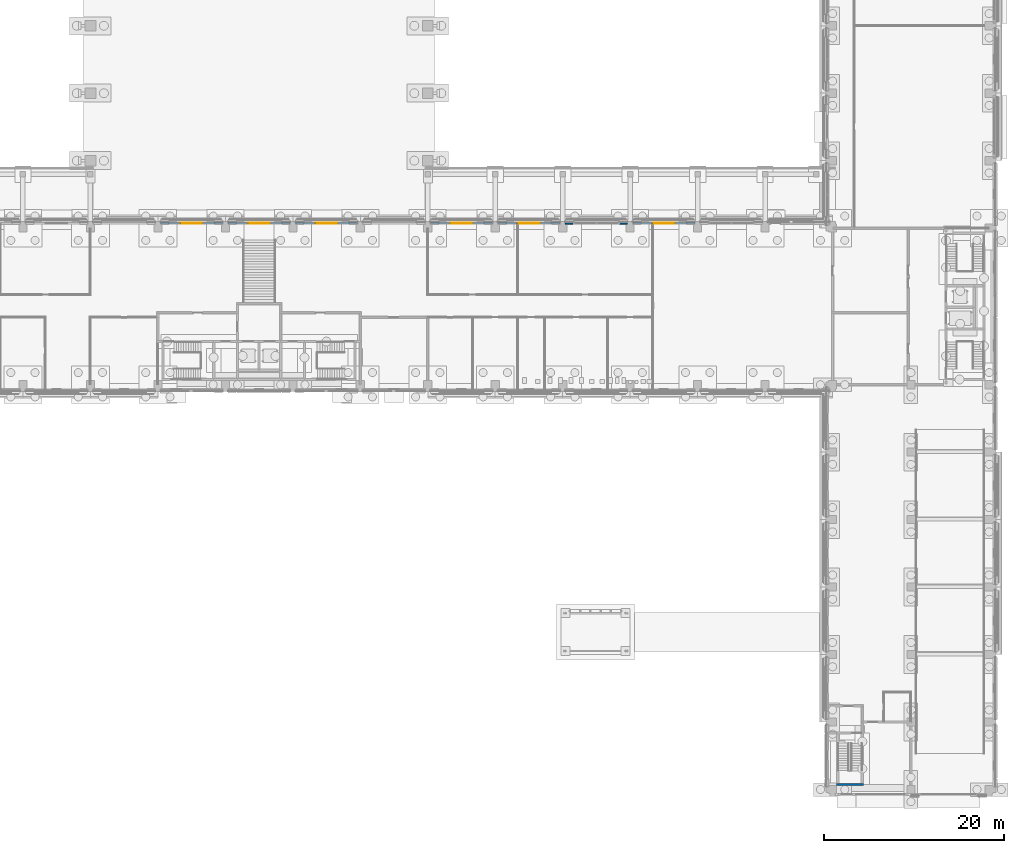
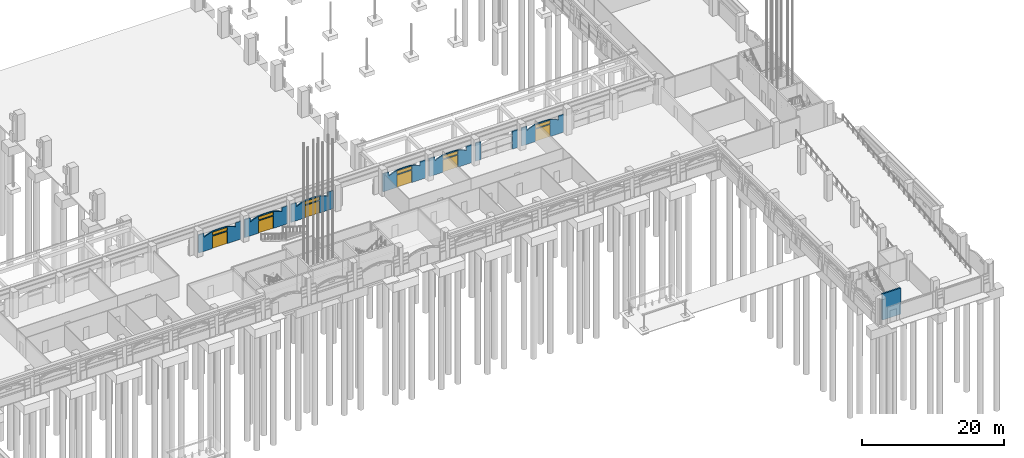
# One storey, part 40 of 99: 9 walls, 6 doors, 6 windows, 12 openings.
"""IFC4 building model written with IfcOpenShell, lengths in metres."""

from ifc_helpers import new_model, si_unit, direction, frame, frame_2d, origin, place, context, subcontext, project, spatial, polyline, rectangle, outline, extrude, material, layer, layer_set, type_object, element, fill, save


model = new_model("IFC4")

# Units and contexts
model_context = context("Model", 3, precision=1e-05, world=origin(), true_north=direction((0.0, 1.0)))
body_context = subcontext(model_context, "Body", "Model", "MODEL_VIEW")
ifc_project = project(units=[si_unit("LENGTHUNIT", "METRE"), si_unit("AREAUNIT", "SQUARE_METRE"), si_unit("VOLUMEUNIT", "CUBIC_METRE"), si_unit("PLANEANGLEUNIT", "RADIAN"), si_unit("MASSUNIT", "GRAM", prefix="KILO")], contexts=[model_context])

# Site, building, storey
site_placement = place(None, origin())
site = spatial("IfcSite", under=ifc_project, at=site_placement, CompositionType="ELEMENT")
building_placement = place(site_placement, origin())
building = spatial("IfcBuilding", under=site, at=building_placement, Name="Cour d'Honneur Mobility Palace", CompositionType="ELEMENT")
storey_placement = place(building_placement, origin())
storey = spatial("IfcBuildingStorey", under=building, at=storey_placement, Name="L00", CompositionType="ELEMENT", Elevation=0.0)

# Wall, openings, door, window
ifc_material_1 = material(Name="Concrete C40", Category="concrete")
ifc_layer_1 = layer(ifc_material_1, 0.199951171875)
ifc_layer_set_1 = layer_set([ifc_layer_1], Name="Concrete C40")
wall_type_1 = type_object("IfcWallType", Name="Arch infill panel", PredefinedType="SOLIDWALL", material=ifc_layer_set_1)
wall_1_placement = place(storey_placement, frame((129.60009765625, 62.949951171875, 0.0), z_axis=(0.0, 0.0, 1.0), x_axis=(-1.0, 0.0, 0.0)))
wall_1 = element("IfcWall", 1, at=wall_1_placement, inside=storey, type_object=wall_type_1, Name="Arch infill panel IP-67", PredefinedType="SOLIDWALL", context=body_context, shape_type="SweptSolid", body=[
    extrude(outline(polyline([(0.0, 0.0), (6.900146484375, 0.0), (6.89990234375, 3.10009765625), (6.001953125, 3.10009765625), (6.0, 2.39990234375), (5.68115234375, 2.560302734375), (5.362548828125, 2.69482421875), (5.043701171875, 2.805908203125), (4.72509765625, 2.895263671875), (4.40625, 2.96337890625), (4.08740234375, 3.01171875), (3.768798828125, 3.04052734375), (3.449951171875, 3.050048828125), (3.13134765625, 3.04052734375), (2.8125, 3.01171875), (2.49365234375, 2.96337890625), (2.175048828125, 2.895263671875), (1.856201171875, 2.805908203125), (1.53759765625, 2.69482421875), (1.21875, 2.560302734375), (0.89990234375, 2.39990234375), (0.89794921875, 3.10009765625), (0.0, 3.10009765625), (0.0, 0.0)])), frame((0.0, 0.10009765625, 0.0), z_axis=(0.0, -1.0, 0.0), x_axis=(1.0, 0.0, 0.0)), (0.0, 0.0, 1.0), 0.199951171875),
])
opening_1_placement = place(wall_1_placement, frame((2.25, 0.0, 0.0)))
opening_1 = element("IfcOpeningElement", 2, at=opening_1_placement, cuts=wall_1, Name="Opening D1-2", PredefinedType="OPENING", context=body_context, shape_type="SweptSolid", body=[
    extrude(rectangle(XDim=2.39990234375, YDim=2.10009765625, at=frame_2d((1.199951171875, 1.050048828125))), frame((0.0, 0.10986328125, 0.0), z_axis=(0.0, -1.0, 0.0), x_axis=(1.0, 0.0, 0.0)), (0.0, 0.0, 1.0), 0.219970703125),
])
opening_2_placement = place(wall_1_placement, frame((2.25, 0.0, 2.25)))
opening_2 = element("IfcOpeningElement", 3, at=opening_2_placement, cuts=wall_1, Name="Opening WO-2", PredefinedType="OPENING", context=body_context, shape_type="SweptSolid", body=[
    extrude(rectangle(XDim=2.39990234375, YDim=0.56298828125, at=frame_2d((1.199951171875, 0.281494140625))), frame((0.0, 0.10986328125, 0.0), z_axis=(0.0, -1.0, 0.0), x_axis=(1.0, 0.0, 0.0)), (0.0, 0.0, 1.0), 0.219970703125),
])
ifc_material_2 = material(Name="Aluminium frame and glass", Category="aluminium")
door_type_1 = type_object("IfcDoorType", Name="Entrance double door 2400", OperationType="DOUBLE_DOOR_SINGLE_SWING", PredefinedType="DOOR", material=ifc_material_2)
door_1_placement = place(opening_1_placement, frame((2.39990234375, 0.0, 0.0), z_axis=(0.0, 0.0, 1.0), x_axis=(-1.0, 0.0, 0.0)))
door_1 = element("IfcDoor", 4, at=door_1_placement, inside=storey, type_object=door_type_1, Name="Entrance double door 2400 D1-2", OperationType="SINGLE_SWING_LEFT", OverallHeight=2.10009765625, OverallWidth=2.39990234375, PredefinedType="DOOR", context=body_context, shape_type="SweptSolid", body=[
    extrude(rectangle(XDim=2.39990234375, YDim=2.10009765625, at=frame_2d((1.199951171875, 1.050048828125))), frame((0.0, 0.02490234375, 0.0), z_axis=(0.0, -1.0, 0.0), x_axis=(1.0, 0.0, 0.0)), (0.0, 0.0, 1.0), 0.050048828125),
])
fill(opening_1, door_1)
ifc_material_3 = material(Name="Aluminium frame and glass", Category="aluminium")
window_type = type_object("IfcWindowType", Name="Overlight", PartitioningType="SINGLE_PANEL", PredefinedType="WINDOW", material=ifc_material_3)
window_1_placement = place(opening_2_placement, origin())
window_1 = element("IfcWindow", 5, at=window_1_placement, inside=storey, type_object=window_type, Name="Overlight WO-2", OverallHeight=0.56298828125, OverallWidth=2.39990234375, PartitioningType="SINGLE_PANEL", PredefinedType="WINDOW", context=body_context, shape_type="SweptSolid", body=[
    extrude(rectangle(XDim=2.39990234375, YDim=0.56298828125, at=frame_2d((1.199951171875, 0.281494140625))), frame((0.0, 0.030029296875, 0.0), z_axis=(0.0, -1.0, 0.0), x_axis=(1.0, 0.0, 0.0)), (0.0, 0.0, 1.0), 0.06005859375),
])
fill(opening_2, window_1)

# Walls
for number, where, z_axis, x_axis, name in (
    (6, (122.10009765625, 62.949951171875, 0.0), (0.0, 0.0, 1.0), (-1.0, 0.0, 0.0), "Arch infill panel IP-68"),
    (7, (116.10009765625, 62.949951171875, 0.0), (0.0, 0.0, 1.0), (-1.0, 0.0, 0.0), "Arch infill panel IP-69"),
):
    element("IfcWall", number, at=place(storey_placement, frame(where, z_axis=z_axis, x_axis=x_axis)), inside=storey, type_object=wall_type_1, Name=name, PredefinedType="SOLIDWALL", context=body_context, shape_type="SweptSolid", body=[
        extrude(rectangle(XDim=0.900146484375, YDim=0.199951171875, at=frame_2d((0.4501953125, 0.0))), origin(), (0.0, 0.0, 1.0), 3.10009765625),
    ])

# Wall, openings, door, window
wall_2_placement = place(storey_placement, frame((114.60009765625, 62.949951171875, 0.0), z_axis=(0.0, 0.0, 1.0), x_axis=(-1.0, 0.0, 0.0)))
wall_2 = element("IfcWall", 8, at=wall_2_placement, inside=storey, type_object=wall_type_1, Name="Arch infill panel IP-70", PredefinedType="SOLIDWALL", context=body_context, shape_type="SweptSolid", body=[
    extrude(outline(polyline([(0.0, 0.0), (6.900146484375, 0.0), (6.89990234375, 3.10009765625), (6.001953125, 3.10009765625), (6.0, 2.39990234375), (5.68115234375, 2.560302734375), (5.362548828125, 2.69482421875), (5.043701171875, 2.805908203125), (4.72509765625, 2.895263671875), (4.40625, 2.96337890625), (4.08740234375, 3.01171875), (3.768798828125, 3.04052734375), (3.449951171875, 3.050048828125), (3.13134765625, 3.04052734375), (2.8125, 3.01171875), (2.49365234375, 2.96337890625), (2.175048828125, 2.895263671875), (1.856201171875, 2.805908203125), (1.53759765625, 2.69482421875), (1.21875, 2.560302734375), (0.89990234375, 2.39990234375), (0.89794921875, 3.10009765625), (0.0, 3.10009765625), (0.0, 0.0)])), frame((0.0, 0.10009765625, 0.0), z_axis=(0.0, -1.0, 0.0), x_axis=(1.0, 0.0, 0.0)), (0.0, 0.0, 1.0), 0.199951171875),
])
opening_3_placement = place(wall_2_placement, frame((2.25, 0.0, 0.0)))
opening_3 = element("IfcOpeningElement", 9, at=opening_3_placement, cuts=wall_2, Name="Opening D1-3", PredefinedType="OPENING", context=body_context, shape_type="SweptSolid", body=[
    extrude(rectangle(XDim=2.39990234375, YDim=2.10009765625, at=frame_2d((1.199951171875, 1.050048828125))), frame((0.0, 0.10986328125, 0.0), z_axis=(0.0, -1.0, 0.0), x_axis=(1.0, 0.0, 0.0)), (0.0, 0.0, 1.0), 0.219970703125),
])
opening_4_placement = place(wall_2_placement, frame((2.25, 0.0, 2.25)))
opening_4 = element("IfcOpeningElement", 10, at=opening_4_placement, cuts=wall_2, Name="Opening WO-3", PredefinedType="OPENING", context=body_context, shape_type="SweptSolid", body=[
    extrude(rectangle(XDim=2.39990234375, YDim=0.56298828125, at=frame_2d((1.199951171875, 0.281494140625))), frame((0.0, 0.10986328125, 0.0), z_axis=(0.0, -1.0, 0.0), x_axis=(1.0, 0.0, 0.0)), (0.0, 0.0, 1.0), 0.219970703125),
])
door_2_placement = place(opening_3_placement, frame((2.39990234375, 0.0, 0.0), z_axis=(0.0, 0.0, 1.0), x_axis=(-1.0, 0.0, 0.0)))
door_2 = element("IfcDoor", 11, at=door_2_placement, inside=storey, type_object=door_type_1, Name="Entrance double door 2400 D1-3", OperationType="SINGLE_SWING_LEFT", OverallHeight=2.10009765625, OverallWidth=2.39990234375, PredefinedType="DOOR", context=body_context, shape_type="SweptSolid", body=[
    extrude(rectangle(XDim=2.39990234375, YDim=2.10009765625, at=frame_2d((1.199951171875, 1.050048828125))), frame((0.0, 0.02490234375, 0.0), z_axis=(0.0, -1.0, 0.0), x_axis=(1.0, 0.0, 0.0)), (0.0, 0.0, 1.0), 0.050048828125),
])
fill(opening_3, door_2)
window_2_placement = place(opening_4_placement, origin())
window_2 = element("IfcWindow", 12, at=window_2_placement, inside=storey, type_object=window_type, Name="Overlight WO-3", OverallHeight=0.56298828125, OverallWidth=2.39990234375, PartitioningType="SINGLE_PANEL", PredefinedType="WINDOW", context=body_context, shape_type="SweptSolid", body=[
    extrude(rectangle(XDim=2.39990234375, YDim=0.56298828125, at=frame_2d((1.199951171875, 0.281494140625))), frame((0.0, 0.030029296875, 0.0), z_axis=(0.0, -1.0, 0.0), x_axis=(1.0, 0.0, 0.0)), (0.0, 0.0, 1.0), 0.06005859375),
])
fill(opening_4, window_2)

wall_3_placement = place(storey_placement, frame((107.10009765625, 62.949951171875, 0.0), z_axis=(0.0, 0.0, 1.0), x_axis=(-1.0, 0.0, 0.0)))
wall_3 = element("IfcWall", 13, at=wall_3_placement, inside=storey, type_object=wall_type_1, Name="Arch infill panel IP-71", PredefinedType="SOLIDWALL", context=body_context, shape_type="SweptSolid", body=[
    extrude(outline(polyline([(0.0, 0.0), (6.900146484375, 0.0), (6.89990234375, 3.10009765625), (6.001953125, 3.10009765625), (6.0, 2.39990234375), (5.68115234375, 2.560302734375), (5.362548828125, 2.69482421875), (5.043701171875, 2.805908203125), (4.72509765625, 2.895263671875), (4.40625, 2.96337890625), (4.08740234375, 3.01171875), (3.768798828125, 3.04052734375), (3.449951171875, 3.050048828125), (3.13134765625, 3.04052734375), (2.8125, 3.01171875), (2.49365234375, 2.96337890625), (2.175048828125, 2.895263671875), (1.856201171875, 2.805908203125), (1.53759765625, 2.69482421875), (1.21875, 2.560302734375), (0.89990234375, 2.39990234375), (0.89794921875, 3.10009765625), (0.0, 3.10009765625), (0.0, 0.0)])), frame((0.0, 0.10009765625, 0.0), z_axis=(0.0, -1.0, 0.0), x_axis=(1.0, 0.0, 0.0)), (0.0, 0.0, 1.0), 0.199951171875),
])
opening_5_placement = place(wall_3_placement, frame((2.25, 0.0, 0.0)))
opening_5 = element("IfcOpeningElement", 14, at=opening_5_placement, cuts=wall_3, Name="Opening D1-4", PredefinedType="OPENING", context=body_context, shape_type="SweptSolid", body=[
    extrude(rectangle(XDim=2.39990234375, YDim=2.10009765625, at=frame_2d((1.199951171875, 1.050048828125))), frame((0.0, 0.10986328125, 0.0), z_axis=(0.0, -1.0, 0.0), x_axis=(1.0, 0.0, 0.0)), (0.0, 0.0, 1.0), 0.219970703125),
])
opening_6_placement = place(wall_3_placement, frame((2.25, 0.0, 2.25)))
opening_6 = element("IfcOpeningElement", 15, at=opening_6_placement, cuts=wall_3, Name="Opening WO-4", PredefinedType="OPENING", context=body_context, shape_type="SweptSolid", body=[
    extrude(rectangle(XDim=2.39990234375, YDim=0.56298828125, at=frame_2d((1.199951171875, 0.281494140625))), frame((0.0, 0.10986328125, 0.0), z_axis=(0.0, -1.0, 0.0), x_axis=(1.0, 0.0, 0.0)), (0.0, 0.0, 1.0), 0.219970703125),
])
door_3_placement = place(opening_5_placement, frame((2.39990234375, 0.0, 0.0), z_axis=(0.0, 0.0, 1.0), x_axis=(-1.0, 0.0, 0.0)))
door_3 = element("IfcDoor", 16, at=door_3_placement, inside=storey, type_object=door_type_1, Name="Entrance double door 2400 D1-4", OperationType="SINGLE_SWING_LEFT", OverallHeight=2.10009765625, OverallWidth=2.39990234375, PredefinedType="DOOR", context=body_context, shape_type="SweptSolid", body=[
    extrude(rectangle(XDim=2.39990234375, YDim=2.10009765625, at=frame_2d((1.199951171875, 1.050048828125))), frame((0.0, 0.02490234375, 0.0), z_axis=(0.0, -1.0, 0.0), x_axis=(1.0, 0.0, 0.0)), (0.0, 0.0, 1.0), 0.050048828125),
])
fill(opening_5, door_3)
window_3_placement = place(opening_6_placement, origin())
window_3 = element("IfcWindow", 17, at=window_3_placement, inside=storey, type_object=window_type, Name="Overlight WO-4", OverallHeight=0.56298828125, OverallWidth=2.39990234375, PartitioningType="SINGLE_PANEL", PredefinedType="WINDOW", context=body_context, shape_type="SweptSolid", body=[
    extrude(rectangle(XDim=2.39990234375, YDim=0.56298828125, at=frame_2d((1.199951171875, 0.281494140625))), frame((0.0, 0.030029296875, 0.0), z_axis=(0.0, -1.0, 0.0), x_axis=(1.0, 0.0, 0.0)), (0.0, 0.0, 1.0), 0.06005859375),
])
fill(opening_6, window_3)

# Wall, openings, window, door
wall_4_placement = place(storey_placement, frame((92.10009765625, 62.949951171875, 0.0), z_axis=(0.0, 0.0, 1.0), x_axis=(-1.0, 0.0, 0.0)))
wall_4 = element("IfcWall", 18, at=wall_4_placement, inside=storey, type_object=wall_type_1, Name="Arch infill panel IP-72", PredefinedType="SOLIDWALL", context=body_context, shape_type="SweptSolid", body=[
    extrude(outline(polyline([(0.0, 0.0), (6.900146484375, 0.0), (6.89990234375, 3.10009765625), (6.001953125, 3.10009765625), (6.0, 2.39990234375), (5.68115234375, 2.560302734375), (5.362548828125, 2.69482421875), (5.043701171875, 2.805908203125), (4.72509765625, 2.895263671875), (4.40625, 2.96337890625), (4.08740234375, 3.01171875), (3.768798828125, 3.04052734375), (3.449951171875, 3.050048828125), (3.13134765625, 3.04052734375), (2.8125, 3.01171875), (2.49365234375, 2.96337890625), (2.175048828125, 2.895263671875), (1.856201171875, 2.805908203125), (1.53759765625, 2.69482421875), (1.21875, 2.560302734375), (0.89990234375, 2.39990234375), (0.89794921875, 3.10009765625), (0.0, 3.10009765625), (0.0, 0.0)])), frame((0.0, 0.10009765625, 0.0), z_axis=(0.0, -1.0, 0.0), x_axis=(1.0, 0.0, 0.0)), (0.0, 0.0, 1.0), 0.199951171875),
])
opening_7_placement = place(wall_4_placement, frame((2.25, 0.0, 0.0)))
opening_7 = element("IfcOpeningElement", 19, at=opening_7_placement, cuts=wall_4, Name="Opening D2-1", PredefinedType="OPENING", context=body_context, shape_type="SweptSolid", body=[
    extrude(rectangle(XDim=2.39990234375, YDim=2.10009765625, at=frame_2d((1.199951171875, 1.050048828125))), frame((0.0, 0.10986328125, 0.0), z_axis=(0.0, -1.0, 0.0), x_axis=(1.0, 0.0, 0.0)), (0.0, 0.0, 1.0), 0.219970703125),
])
opening_8_placement = place(wall_4_placement, frame((2.25, 0.0, 2.25)))
opening_8 = element("IfcOpeningElement", 20, at=opening_8_placement, cuts=wall_4, Name="Opening WO-5", PredefinedType="OPENING", context=body_context, shape_type="SweptSolid", body=[
    extrude(rectangle(XDim=2.39990234375, YDim=0.56298828125, at=frame_2d((1.199951171875, 0.281494140625))), frame((0.0, 0.10986328125, 0.0), z_axis=(0.0, -1.0, 0.0), x_axis=(1.0, 0.0, 0.0)), (0.0, 0.0, 1.0), 0.219970703125),
])
window_4_placement = place(opening_8_placement, origin())
window_4 = element("IfcWindow", 21, at=window_4_placement, inside=storey, type_object=window_type, Name="Overlight WO-5", OverallHeight=0.56298828125, OverallWidth=2.39990234375, PartitioningType="SINGLE_PANEL", PredefinedType="WINDOW", context=body_context, shape_type="SweptSolid", body=[
    extrude(rectangle(XDim=2.39990234375, YDim=0.56298828125, at=frame_2d((1.199951171875, 0.281494140625))), frame((0.0, 0.030029296875, 0.0), z_axis=(0.0, -1.0, 0.0), x_axis=(1.0, 0.0, 0.0)), (0.0, 0.0, 1.0), 0.06005859375),
])
fill(opening_8, window_4)
ifc_material_4 = material(Name="Aluminium frame and glass", Category="aluminium")
door_type_2 = type_object("IfcDoorType", Name="Sliding entrance door 2400", OperationType="DOUBLE_DOOR_SLIDING", PredefinedType="DOOR", material=ifc_material_4)
door_4_placement = place(opening_7_placement, frame((2.39990234375, 0.0, 0.0), z_axis=(0.0, 0.0, 1.0), x_axis=(-1.0, 0.0, 0.0)))
door_4 = element("IfcDoor", 22, at=door_4_placement, inside=storey, type_object=door_type_2, Name="Sliding entrance door 2400 D2-1", OperationType="DOUBLE_DOOR_SLIDING", OverallHeight=2.10009765625, OverallWidth=2.39990234375, PredefinedType="DOOR", context=body_context, shape_type="SweptSolid", body=[
    extrude(rectangle(XDim=2.39990234375, YDim=2.10009765625, at=frame_2d((1.199951171875, 1.050048828125))), frame((0.0, 0.02490234375, 0.0), z_axis=(0.0, -1.0, 0.0), x_axis=(1.0, 0.0, 0.0)), (0.0, 0.0, 1.0), 0.050048828125),
])
fill(opening_7, door_4)

wall_5_placement = place(storey_placement, frame((84.60009765625, 62.949951171875, 0.0), z_axis=(0.0, 0.0, 1.0), x_axis=(-1.0, 0.0, 0.0)))
wall_5 = element("IfcWall", 23, at=wall_5_placement, inside=storey, type_object=wall_type_1, Name="Arch infill panel IP-73", PredefinedType="SOLIDWALL", context=body_context, shape_type="SweptSolid", body=[
    extrude(outline(polyline([(0.0, 0.0), (6.900146484375, 0.0), (6.89990234375, 3.10009765625), (6.001953125, 3.10009765625), (6.0, 2.39990234375), (5.68115234375, 2.560302734375), (5.362548828125, 2.69482421875), (5.043701171875, 2.805908203125), (4.72509765625, 2.895263671875), (4.40625, 2.96337890625), (4.08740234375, 3.01171875), (3.768798828125, 3.04052734375), (3.449951171875, 3.050048828125), (3.13134765625, 3.04052734375), (2.8125, 3.01171875), (2.49365234375, 2.96337890625), (2.175048828125, 2.895263671875), (1.856201171875, 2.805908203125), (1.53759765625, 2.69482421875), (1.21875, 2.560302734375), (0.89990234375, 2.39990234375), (0.89794921875, 3.10009765625), (0.0, 3.10009765625), (0.0, 0.0)])), frame((0.0, 0.10009765625, 0.0), z_axis=(0.0, -1.0, 0.0), x_axis=(1.0, 0.0, 0.0)), (0.0, 0.0, 1.0), 0.199951171875),
])
opening_9_placement = place(wall_5_placement, frame((2.25, 0.0, 0.0)))
opening_9 = element("IfcOpeningElement", 24, at=opening_9_placement, cuts=wall_5, Name="Opening D2-2", PredefinedType="OPENING", context=body_context, shape_type="SweptSolid", body=[
    extrude(rectangle(XDim=2.39990234375, YDim=2.10009765625, at=frame_2d((1.199951171875, 1.050048828125))), frame((0.0, 0.10986328125, 0.0), z_axis=(0.0, -1.0, 0.0), x_axis=(1.0, 0.0, 0.0)), (0.0, 0.0, 1.0), 0.219970703125),
])
opening_10_placement = place(wall_5_placement, frame((2.25, 0.0, 2.25)))
opening_10 = element("IfcOpeningElement", 25, at=opening_10_placement, cuts=wall_5, Name="Opening WO-6", PredefinedType="OPENING", context=body_context, shape_type="SweptSolid", body=[
    extrude(rectangle(XDim=2.39990234375, YDim=0.56298828125, at=frame_2d((1.199951171875, 0.281494140625))), frame((0.0, 0.10986328125, 0.0), z_axis=(0.0, -1.0, 0.0), x_axis=(1.0, 0.0, 0.0)), (0.0, 0.0, 1.0), 0.219970703125),
])
window_5_placement = place(opening_10_placement, origin())
window_5 = element("IfcWindow", 26, at=window_5_placement, inside=storey, type_object=window_type, Name="Overlight WO-6", OverallHeight=0.56298828125, OverallWidth=2.39990234375, PartitioningType="SINGLE_PANEL", PredefinedType="WINDOW", context=body_context, shape_type="SweptSolid", body=[
    extrude(rectangle(XDim=2.39990234375, YDim=0.56298828125, at=frame_2d((1.199951171875, 0.281494140625))), frame((0.0, 0.030029296875, 0.0), z_axis=(0.0, -1.0, 0.0), x_axis=(1.0, 0.0, 0.0)), (0.0, 0.0, 1.0), 0.06005859375),
])
fill(opening_10, window_5)
door_5_placement = place(opening_9_placement, frame((2.39990234375, 0.0, 0.0), z_axis=(0.0, 0.0, 1.0), x_axis=(-1.0, 0.0, 0.0)))
door_5 = element("IfcDoor", 27, at=door_5_placement, inside=storey, type_object=door_type_2, Name="Sliding entrance door 2400 D2-2", OperationType="DOUBLE_DOOR_SLIDING", OverallHeight=2.10009765625, OverallWidth=2.39990234375, PredefinedType="DOOR", context=body_context, shape_type="SweptSolid", body=[
    extrude(rectangle(XDim=2.39990234375, YDim=2.10009765625, at=frame_2d((1.199951171875, 1.050048828125))), frame((0.0, 0.02490234375, 0.0), z_axis=(0.0, -1.0, 0.0), x_axis=(1.0, 0.0, 0.0)), (0.0, 0.0, 1.0), 0.050048828125),
])
fill(opening_9, door_5)

wall_6_placement = place(storey_placement, frame((77.10009765625, 62.949951171875, 0.0), z_axis=(0.0, 0.0, 1.0), x_axis=(-1.0, 0.0, 0.0)))
wall_6 = element("IfcWall", 28, at=wall_6_placement, inside=storey, type_object=wall_type_1, Name="Arch infill panel IP-74", PredefinedType="SOLIDWALL", context=body_context, shape_type="SweptSolid", body=[
    extrude(outline(polyline([(0.0, 0.0), (6.900146484375, 0.0), (6.89990234375, 3.10009765625), (6.001953125, 3.10009765625), (6.0, 2.39990234375), (5.68115234375, 2.560302734375), (5.362548828125, 2.69482421875), (5.043701171875, 2.805908203125), (4.72509765625, 2.895263671875), (4.40625, 2.96337890625), (4.08740234375, 3.01171875), (3.768798828125, 3.04052734375), (3.449951171875, 3.050048828125), (3.13134765625, 3.04052734375), (2.8125, 3.01171875), (2.49365234375, 2.96337890625), (2.175048828125, 2.895263671875), (1.856201171875, 2.805908203125), (1.53759765625, 2.69482421875), (1.21875, 2.560302734375), (0.89990234375, 2.39990234375), (0.89794921875, 3.10009765625), (0.0, 3.10009765625), (0.0, 0.0)])), frame((0.0, 0.10009765625, 0.0), z_axis=(0.0, -1.0, 0.0), x_axis=(1.0, 0.0, 0.0)), (0.0, 0.0, 1.0), 0.199951171875),
])
opening_11_placement = place(wall_6_placement, frame((2.25, 0.0, 0.0)))
opening_11 = element("IfcOpeningElement", 29, at=opening_11_placement, cuts=wall_6, Name="Opening D2-3", PredefinedType="OPENING", context=body_context, shape_type="SweptSolid", body=[
    extrude(rectangle(XDim=2.39990234375, YDim=2.10009765625, at=frame_2d((1.199951171875, 1.050048828125))), frame((0.0, 0.10986328125, 0.0), z_axis=(0.0, -1.0, 0.0), x_axis=(1.0, 0.0, 0.0)), (0.0, 0.0, 1.0), 0.219970703125),
])
opening_12_placement = place(wall_6_placement, frame((2.25, 0.0, 2.25)))
opening_12 = element("IfcOpeningElement", 30, at=opening_12_placement, cuts=wall_6, Name="Opening WO-7", PredefinedType="OPENING", context=body_context, shape_type="SweptSolid", body=[
    extrude(rectangle(XDim=2.39990234375, YDim=0.56298828125, at=frame_2d((1.199951171875, 0.281494140625))), frame((0.0, 0.10986328125, 0.0), z_axis=(0.0, -1.0, 0.0), x_axis=(1.0, 0.0, 0.0)), (0.0, 0.0, 1.0), 0.219970703125),
])
window_6_placement = place(opening_12_placement, origin())
window_6 = element("IfcWindow", 31, at=window_6_placement, inside=storey, type_object=window_type, Name="Overlight WO-7", OverallHeight=0.56298828125, OverallWidth=2.39990234375, PartitioningType="SINGLE_PANEL", PredefinedType="WINDOW", context=body_context, shape_type="SweptSolid", body=[
    extrude(rectangle(XDim=2.39990234375, YDim=0.56298828125, at=frame_2d((1.199951171875, 0.281494140625))), frame((0.0, 0.030029296875, 0.0), z_axis=(0.0, -1.0, 0.0), x_axis=(1.0, 0.0, 0.0)), (0.0, 0.0, 1.0), 0.06005859375),
])
fill(opening_12, window_6)
door_6_placement = place(opening_11_placement, frame((2.39990234375, 0.0, 0.0), z_axis=(0.0, 0.0, 1.0), x_axis=(-1.0, 0.0, 0.0)))
door_6 = element("IfcDoor", 32, at=door_6_placement, inside=storey, type_object=door_type_2, Name="Sliding entrance door 2400 D2-3", OperationType="DOUBLE_DOOR_SLIDING", OverallHeight=2.10009765625, OverallWidth=2.39990234375, PredefinedType="DOOR", context=body_context, shape_type="SweptSolid", body=[
    extrude(rectangle(XDim=2.39990234375, YDim=2.10009765625, at=frame_2d((1.199951171875, 1.050048828125))), frame((0.0, 0.02490234375, 0.0), z_axis=(0.0, -1.0, 0.0), x_axis=(1.0, 0.0, 0.0)), (0.0, 0.0, 1.0), 0.050048828125),
])
fill(opening_11, door_6)

# Wall
ifc_material_5 = material(Name="Concrete C50", Category="concrete")
ifc_layer_2 = layer(ifc_material_5, 0.25)
ifc_layer_set_2 = layer_set([ifc_layer_2], Name="Concrete C50")
wall_type_2 = type_object("IfcWallType", Name="Stair wall 250", PredefinedType="SHEAR", material=ifc_layer_set_2)
wall_7_placement = place(storey_placement, frame((145.35009765625, 0.574951171875, 0.0), z_axis=(0.0, 0.0, 1.0), x_axis=(1.0, 0.0, 0.0)))
element("IfcWall", 33, at=wall_7_placement, inside=storey, type_object=wall_type_2, Name="Stair wall WS-RE1 L00", PredefinedType="SHEAR", context=body_context, shape_type="SweptSolid", body=[
    extrude(rectangle(XDim=2.974853515625, YDim=0.25, at=frame_2d((1.4873046875, 0.0))), origin(), (0.0, 0.0, 1.0), 4.5),
])

save(model, "model.ifc")
